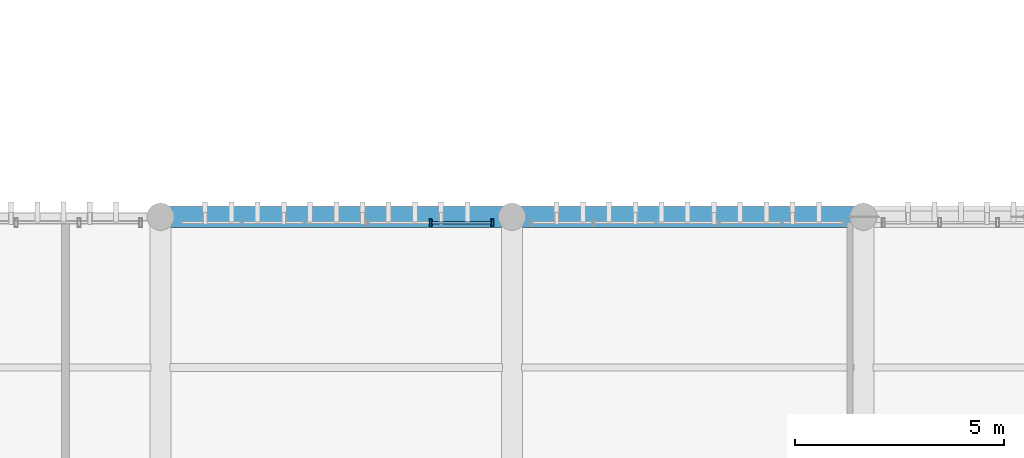
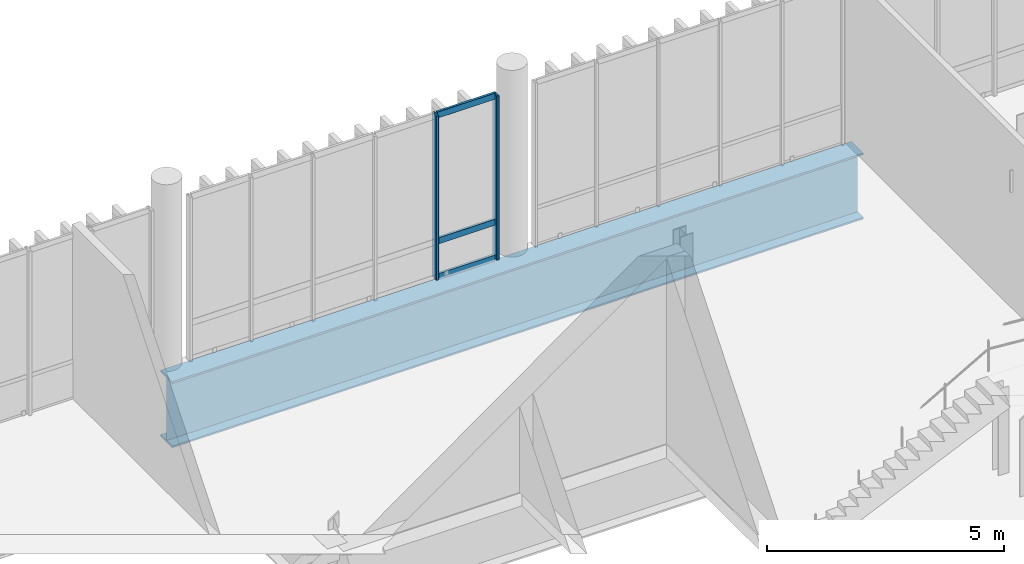
# One storey, part 39 of 86: 5 members, 1 beam, 1 element without a shape of its own.
"""IFC4 building model written with IfcOpenShell, lengths in metres."""

from ifc_helpers import new_model, si_unit, direction, frame, origin_with_axes, origin_2d_with_axis, place, context, subcontext, project, spatial, hollow_rectangle, i_section, extrude, material, material_profile, profile_set, type_object, element, aggregate, save


model = new_model("IFC4")

# Units and contexts
model_context = context("Model", 3, precision=1e-05, world=origin_with_axes(), true_north=direction((0.0, 1.0)))
body_context = subcontext(model_context, "Body", "Model", "MODEL_VIEW")
ifc_project = project(units=[si_unit("LENGTHUNIT", "METRE"), si_unit("AREAUNIT", "SQUARE_METRE"), si_unit("VOLUMEUNIT", "CUBIC_METRE"), si_unit("PLANEANGLEUNIT", "RADIAN"), si_unit("MASSUNIT", "GRAM", prefix="KILO"), si_unit("THERMODYNAMICTEMPERATUREUNIT", "KELVIN")], contexts=[model_context])

# Site, building, storey
site_placement = place(None, origin_with_axes())
site = spatial("IfcSite", under=ifc_project, at=site_placement, CompositionType="ELEMENT")
building_placement = place(site_placement, origin_with_axes())
building = spatial("IfcBuilding", under=site, at=building_placement, Name="Montbau Bow Law Courts", CompositionType="ELEMENT")
storey_placement = place(building_placement, frame((0.0, 0.0, 29.7), z_axis=(0.0, 0.0, 1.0), x_axis=(1.0, 0.0, 0.0)))
storey = spatial("IfcBuildingStorey", under=building, at=storey_placement, Name="L06", CompositionType="ELEMENT", Elevation=29.7)

# Beam
ifc_material_1 = material(Name="Steel CSA G40.21 Grade 350WT (350 MPa)", Category="steel")
ifc_material_profile_1 = material_profile(ifc_material_1, i_section(OverallWidth=0.5, OverallDepth=1.7, WebThickness=0.02, FlangeThickness=0.045, at=origin_2d_with_axis()), Name="WWF1700X480", Category="Main", Priority=0)
ifc_profile_set_1 = profile_set([ifc_material_profile_1], Name="Steel CSA G40.21 Grade 350WT (350 MPa)")
beam_type = type_object("IfcBeamType", Name="B-TRG-02", PredefinedType="USERDEFINED", material=ifc_profile_set_1)
beam_placement = place(None, frame((80.4, 61.8, 28.51), z_axis=(1.0, 0.0, 0.0), x_axis=(0.0, 1.0, 0.0)))
element("IfcBeam", 1, at=beam_placement, inside=storey, type_object=beam_type, Name="TRG-L06-S0065:bm2_0068", ObjectType="GIRDER", PredefinedType="USERDEFINED", context=body_context, shape_type="SweptSolid", body=[
    extrude(i_section(OverallWidth=0.5, OverallDepth=1.7, WebThickness=0.02, FlangeThickness=0.045, at=origin_2d_with_axis()), origin_with_axes(), (0.0, 0.0, 1.0), 16.8),
])

# Curtain wall, members
ifc_material_2 = material(Name="Thermally Broken Extruded Aluminium AA 6063-T6", Category="aluminium")
curtain_wall_type = type_object("IfcCurtainWallType", Name="CW-CRM-02", PredefinedType="NOTDEFINED", material=ifc_material_2)
curtain_wall_placement = place(None, frame((80.84, 61.66, 29.7), z_axis=(0.0, 0.0, 1.0), x_axis=(1.0, 0.0, 0.0)))
curtain_wall = element("IfcCurtainWall", 2, at=curtain_wall_placement, inside=storey, type_object=curtain_wall_type, Name="CW-L06-232:cw_0232", PredefinedType="NOTDEFINED")
ifc_material_profile_2 = material_profile(ifc_material_2, hollow_rectangle(XDim=0.065, YDim=0.18, WallThickness=0.005, InnerFilletRadius=0.01, OuterFilletRadius=0.005, at=origin_2d_with_axis()), Name="CWM-180X65", Category="Main", Priority=0)
ifc_profile_set_2 = profile_set([ifc_material_profile_2], Name="Thermally Broken Extruded Aluminium AA 6063-T6")
member_type_1 = type_object("IfcMemberType", Name="M-MUL-02", PredefinedType="MULLION", material=ifc_profile_set_2)
member_1_placement = place(None, frame((86.856, 61.66, 29.7), z_axis=(0.0, 0.0, 1.0), x_axis=(1.0, 0.0, 0.0)))
member_1 = element("IfcMember", 3, at=member_1_placement, type_object=member_type_1, Name="CW-L06-232-M05:cw_0232_M05", PredefinedType="MULLION", context=body_context, shape_type="SweptSolid", body=[
    extrude(hollow_rectangle(XDim=0.065, YDim=0.18, WallThickness=0.005, InnerFilletRadius=0.01, OuterFilletRadius=0.005, at=origin_2d_with_axis()), origin_with_axes(), (0.0, 0.0, 1.0), 4.22),
])
member_2_placement = place(None, frame((88.327, 61.66, 29.7), z_axis=(0.0, 0.0, 1.0), x_axis=(1.0, 0.0, 0.0)))
member_2 = element("IfcMember", 4, at=member_2_placement, type_object=member_type_1, Name="CW-L06-232-M06:cw_0232_M06", PredefinedType="MULLION", context=body_context, shape_type="SweptSolid", body=[
    extrude(hollow_rectangle(XDim=0.065, YDim=0.18, WallThickness=0.005, InnerFilletRadius=0.01, OuterFilletRadius=0.005, at=origin_2d_with_axis()), origin_with_axes(), (0.0, 0.0, 1.0), 4.22),
])
ifc_material_profile_3 = material_profile(ifc_material_2, hollow_rectangle(XDim=0.06, YDim=0.16, WallThickness=0.004, InnerFilletRadius=0.008, OuterFilletRadius=0.004, at=origin_2d_with_axis()), Name="CWT-160X60", Category="Main", Priority=0)
ifc_profile_set_3 = profile_set([ifc_material_profile_3], Name="Thermally Broken Extruded Aluminium AA 6063-T6")
member_type_2 = type_object("IfcMemberType", Name="M-TRN-01", PredefinedType="USERDEFINED", material=ifc_profile_set_3)
member_3_placement = place(None, frame((86.89, 61.66, 29.73), z_axis=(1.0, 0.0, 0.0), x_axis=(0.0, 1.0, 0.0)))
member_3 = element("IfcMember", 5, at=member_3_placement, type_object=member_type_2, Name="CW-L06-232-T05-1:cw_0232_T05_1", ObjectType="TRANSOM", PredefinedType="USERDEFINED", context=body_context, shape_type="SweptSolid", body=[
    extrude(hollow_rectangle(XDim=0.06, YDim=0.16, WallThickness=0.004, InnerFilletRadius=0.008, OuterFilletRadius=0.004, at=origin_2d_with_axis()), origin_with_axes(), (0.0, 0.0, 1.0), 1.403),
])
member_4_placement = place(None, frame((86.89, 61.66, 30.65), z_axis=(1.0, 0.0, 0.0), x_axis=(0.0, 1.0, 0.0)))
member_4 = element("IfcMember", 6, at=member_4_placement, type_object=member_type_2, Name="CW-L06-232-T05-2:cw_0232_T05_2", ObjectType="TRANSOM", PredefinedType="USERDEFINED", context=body_context, shape_type="SweptSolid", body=[
    extrude(hollow_rectangle(XDim=0.06, YDim=0.16, WallThickness=0.004, InnerFilletRadius=0.008, OuterFilletRadius=0.004, at=origin_2d_with_axis()), origin_with_axes(), (0.0, 0.0, 1.0), 1.403),
])
member_5_placement = place(None, frame((86.89, 61.66, 33.89), z_axis=(1.0, 0.0, 0.0), x_axis=(0.0, 1.0, 0.0)))
member_5 = element("IfcMember", 7, at=member_5_placement, type_object=member_type_2, Name="CW-L06-232-T05-3:cw_0232_T05_3", ObjectType="TRANSOM", PredefinedType="USERDEFINED", context=body_context, shape_type="SweptSolid", body=[
    extrude(hollow_rectangle(XDim=0.06, YDim=0.16, WallThickness=0.004, InnerFilletRadius=0.008, OuterFilletRadius=0.004, at=origin_2d_with_axis()), origin_with_axes(), (0.0, 0.0, 1.0), 1.403),
])
aggregate(curtain_wall, [member_1, member_2, member_3, member_4, member_5])

save(model, "model.ifc")
